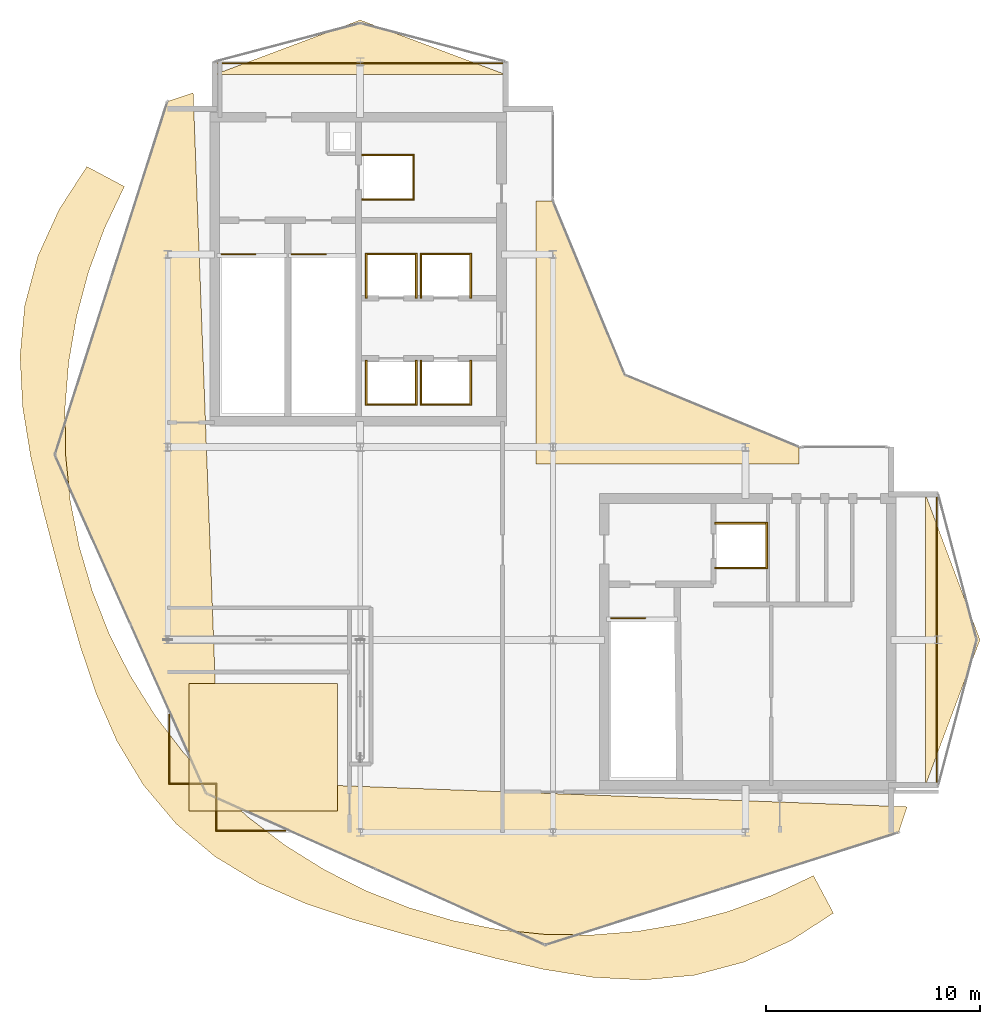
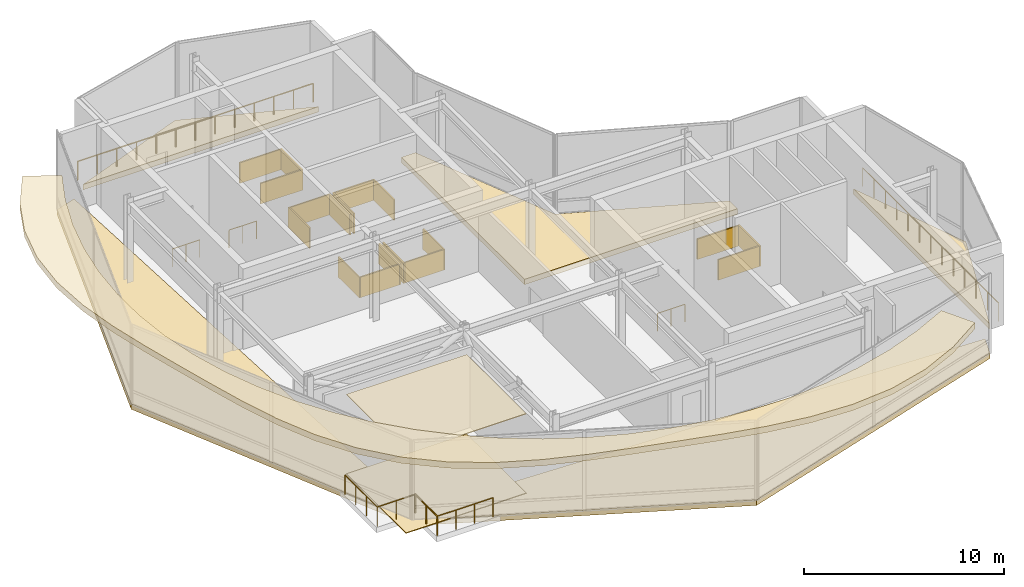
# One storey, part 19 of 19: 25 coverings, 9 railings.
"""IFC4 building model written with IfcOpenShell, lengths in metres."""

import ifcopenshell
import ifcopenshell.guid

model = None  # the IFC model being written
_history = None  # IfcOwnerHistory: only IFC2X3 demands one
_inside = {}  # id of a spatial element -> (the spatial element, [elements in it])
_under = {}  # id of a project, library or spatial element -> (it, [spatial elements below it])
_declared = {}  # id of a project -> (the project, [libraries it declares])
_typed = {}  # id of a type object -> (the type object, [elements of that type])
_made_of = {}  # id of a material, layer set ... -> (it, [elements and type objects made of it])


def new_model(schema):
    """Start an empty IFC model of exactly this schema.

    Asked for "IFC4X3", IfcOpenShell would pick the latest addendum, in which some entities
    have other attributes; the version numbers below select the first issue.
    IFC2X3 requires an IfcOwnerHistory on every rooted entity: one is made here for all.
    """
    global model, _history
    if schema == "IFC4X3":
        model = ifcopenshell.file(schema_version=(4, 3, 0, 0))
    else:
        model = ifcopenshell.file(schema=schema)
    _inside.clear()
    _under.clear()
    _declared.clear()
    _typed.clear()
    _made_of.clear()
    _history = None
    if model.schema == "IFC2X3":
        org = make("IfcOrganization", Name="unknown")
        user = make(
            "IfcPersonAndOrganization",
            ThePerson=make("IfcPerson", FamilyName="unknown"),
            TheOrganization=org,
        )
        app = make(
            "IfcApplication",
            ApplicationDeveloper=org,
            Version="unknown",
            ApplicationFullName="unknown",
            ApplicationIdentifier="unknown",
        )
        _history = make(
            "IfcOwnerHistory",
            OwningUser=user,
            OwningApplication=app,
            ChangeAction="ADDED",
            CreationDate=0,
        )
    return model


def make(cls, **values):
    """One entity of the class cls with the attributes given. An attribute that is None is left unset."""
    return model.create_entity(
        cls, **{name: value for name, value in values.items() if value is not None}
    )


def rooted(cls, **values):
    """An entity with a GlobalId (a new one), such as an element, a storey or a relation."""
    return make(cls, GlobalId=ifcopenshell.guid.new(), OwnerHistory=_history, **values)


def si_unit(unit_type, name, prefix=None):
    """IfcSIUnit, for example si_unit("LENGTHUNIT", "METRE", prefix="MILLI")."""
    return make("IfcSIUnit", UnitType=unit_type, Prefix=prefix, Name=name)


def assignment(units):
    """IfcUnitAssignment: the units of a project."""
    return None if units is None else make("IfcUnitAssignment", Units=units)


def point(xyz):
    """IfcCartesianPoint."""
    return None if xyz is None else make("IfcCartesianPoint", Coordinates=xyz)


def direction(xyz):
    """IfcDirection."""
    return None if xyz is None else make("IfcDirection", DirectionRatios=xyz)


def frame(location, z_axis=None, x_axis=None):
    """IfcAxis2Placement3D, a coordinate frame: its origin and axes. An axis left out is left unset."""
    return make(
        "IfcAxis2Placement3D",
        Location=point(location),
        Axis=direction(z_axis),
        RefDirection=direction(x_axis),
    )


def frame_2d(location, x_axis=None):
    """IfcAxis2Placement2D, a coordinate frame in the plane: its origin and x axis."""
    return make(
        "IfcAxis2Placement2D", Location=point(location), RefDirection=direction(x_axis)
    )


def origin():
    """The frame at (0, 0, 0) with its axes left unset."""
    return frame((0.0, 0.0, 0.0))


def origin_2d():
    """The frame at (0, 0) in the plane with its x axis left unset."""
    return frame_2d((0.0, 0.0))


def place(relative_to, where):
    """IfcLocalPlacement: puts the frame where relative to a parent placement (None: the world)."""
    return make(
        "IfcLocalPlacement", PlacementRelTo=relative_to, RelativePlacement=where
    )


def context(
    kind, dimensions, precision=None, world=None, true_north=None, identifier=None
):
    """IfcGeometricRepresentationContext, for example the 3D "Model" context."""
    return make(
        "IfcGeometricRepresentationContext",
        ContextIdentifier=identifier,
        ContextType=kind,
        CoordinateSpaceDimension=dimensions,
        Precision=precision,
        WorldCoordinateSystem=world,
        TrueNorth=true_north,
    )


def subcontext(parent, identifier, kind, view, scale=None):
    """IfcGeometricRepresentationSubContext, for example "Body" below "Model"."""
    return make(
        "IfcGeometricRepresentationSubContext",
        ContextIdentifier=identifier,
        ContextType=kind,
        ParentContext=parent,
        TargetScale=scale,
        TargetView=view,
    )


def project(units=None, contexts=None):
    """IfcProject with its units and contexts."""
    return rooted(
        "IfcProject",
        Name="project",
        RepresentationContexts=contexts,
        UnitsInContext=assignment(units),
    )


def spatial(cls, under=None, at=None, **own):
    """A site, building, storey or space (cls), placed at a placement, below another one or the project."""
    s = rooted(cls, ObjectPlacement=at, **own)
    if under is not None:
        _under.setdefault(under.id(), (under, []))[1].append(s)
    return s


def polyline(points):
    """IfcPolyline through the points."""
    return make("IfcPolyline", Points=[point(p) for p in points])


def profile(cls, at=None, kind="AREA", **sizes):
    """A parametric profile (cls). Its sizes go by their IFC names, for example OverallWidth=200.0."""
    return make(cls, ProfileType=kind, Position=at, **sizes)


def rectangle(**sizes):
    """IfcRectangleProfileDef."""
    return profile("IfcRectangleProfileDef", **sizes)


def circle(**sizes):
    """IfcCircleProfileDef."""
    return profile("IfcCircleProfileDef", **sizes)


def outline(outer, holes=None, kind="AREA"):
    """IfcArbitraryClosedProfileDef: a profile drawn as a closed curve; with holes, ...WithVoids."""
    if holes is None:
        return make("IfcArbitraryClosedProfileDef", ProfileType=kind, OuterCurve=outer)
    return make(
        "IfcArbitraryProfileDefWithVoids",
        ProfileType=kind,
        OuterCurve=outer,
        InnerCurves=holes,
    )


def extrude(swept, where, along, depth):
    """IfcExtrudedAreaSolid: the profile swept, set in the frame where, extruded along a direction by depth."""
    return make(
        "IfcExtrudedAreaSolid",
        SweptArea=swept,
        Position=where,
        ExtrudedDirection=direction(along),
        Depth=depth,
    )


def shape(context_of_items, identifier, shape_type, items):
    """IfcShapeRepresentation: the items that make up one representation, for example the "Body"."""
    return make(
        "IfcShapeRepresentation",
        ContextOfItems=context_of_items,
        RepresentationIdentifier=identifier,
        RepresentationType=shape_type,
        Items=items,
    )


def material(Name=None, Category=None):
    """IfcMaterial."""
    return make("IfcMaterial", Name=Name, Category=Category)


def layer(
    of_material, thickness, ventilated=None, Name=None, Category=None, Priority=None
):
    """IfcMaterialLayer: one layer of a wall or slab, of a material (None: an air gap)."""
    return make(
        "IfcMaterialLayer",
        Material=of_material,
        LayerThickness=thickness,
        IsVentilated=ventilated,
        Name=Name,
        Category=Category,
        Priority=Priority,
    )


def layer_set(layers, Name=None):
    """IfcMaterialLayerSet."""
    return make("IfcMaterialLayerSet", MaterialLayers=layers, LayerSetName=Name)


def made_of(thing, what):
    """Note that an element or type object is made of a material, layer set ...; save() writes the relation."""
    if what is not None:
        _made_of.setdefault(what.id(), (what, []))[1].append(thing)
    return thing


def type_object(cls, material=None, **own):
    """A type object (cls), such as IfcWallType, which elements share."""
    return made_of(rooted(cls, **own), material)


def element(
    cls,
    number,
    at=None,
    inside=None,
    cuts=None,
    type_object=None,
    material=None,
    context=None,
    identifier="Body",
    shape_type=None,
    held_by="IfcProductDefinitionShape",
    body=None,
    shapes=None,
    **own,
):
    """One element of the class cls, such as IfcWall. Its Tag is "e" and its number.

    at: its placement. inside: the storey or other place that contains it. cuts: it is an
    opening in that element (IfcRelVoidsElement). A single representation is given by context,
    identifier, shape_type and body (its items); several are given by shapes. held_by: the class
    of the entity that holds the representations. save() writes the other relations.
    """
    e = rooted(cls, Tag="e%d" % number, ObjectPlacement=at, **own)
    if body is not None:
        shapes = [shape(context, identifier, shape_type, body)]
    if shapes is not None:
        e.Representation = make(held_by, Representations=shapes)
    if inside is not None:
        _inside.setdefault(inside.id(), (inside, []))[1].append(e)
    if cuts is not None:
        rooted(
            "IfcRelVoidsElement", RelatingBuildingElement=cuts, RelatedOpeningElement=e
        )
    if type_object is not None:
        _typed.setdefault(type_object.id(), (type_object, []))[1].append(e)
    return made_of(e, material)


def aggregate(whole, parts):
    """IfcRelAggregates: a whole, such as a stair, and the parts it consists of."""
    return rooted("IfcRelAggregates", RelatingObject=whole, RelatedObjects=parts)


def save(model, path):
    """Write the relations noted so far, then the file.

    IfcRelAggregates (storeys below a building ...), IfcRelContainedInSpatialStructure (elements
    in a storey), IfcRelDefinesByType, IfcRelAssociatesMaterial and IfcRelDeclares: one each for
    every whole, place, type object, material and project.
    """
    for whole, parts in _under.values():
        aggregate(whole, parts)
    for where, things in _inside.values():
        rooted(
            "IfcRelContainedInSpatialStructure",
            RelatedElements=things,
            RelatingStructure=where,
        )
    for kind, things in _typed.values():
        rooted("IfcRelDefinesByType", RelatedObjects=things, RelatingType=kind)
    for what, things in _made_of.values():
        rooted("IfcRelAssociatesMaterial", RelatedObjects=things, RelatingMaterial=what)
    for by, libraries in _declared.values():
        rooted("IfcRelDeclares", RelatingContext=by, RelatedDefinitions=libraries)
    model.write(path)


model = new_model("IFC4")

# Units and contexts
model_context = context("Model", 3, precision=1e-05, world=origin(), true_north=direction((0.0, 1.0)))
body_context = subcontext(model_context, "Body", "Model", "MODEL_VIEW")
ifc_project = project(units=[si_unit("LENGTHUNIT", "METRE"), si_unit("AREAUNIT", "SQUARE_METRE"), si_unit("VOLUMEUNIT", "CUBIC_METRE"), si_unit("PLANEANGLEUNIT", "RADIAN"), si_unit("MASSUNIT", "GRAM", prefix="KILO")], contexts=[model_context])

# Site, building, storey
site_placement = place(None, origin())
site = spatial("IfcSite", under=ifc_project, at=site_placement, CompositionType="ELEMENT")
building_placement = place(site_placement, origin())
building = spatial("IfcBuilding", under=site, at=building_placement, Name="Solvaryn Broadcast Tower", CompositionType="ELEMENT")
storey_placement = place(building_placement, frame((0.0, 0.0, 302.60009765625)))
storey = spatial("IfcBuildingStorey", under=building, at=storey_placement, Name="L76", CompositionType="ELEMENT", Elevation=302.60009765625)

# Coverings
ifc_material_1 = material(Name="Micro-Perforated Acoustic Gypsum Ceiling", Category="concrete")
ifc_layer_1 = layer(ifc_material_1, 0.0400390625)
ifc_layer_set_1 = layer_set([ifc_layer_1], Name="CV-CEIL-ACOUSTIC")
covering_type_1 = type_object("IfcCoveringType", Name="CV-CEIL-ACOUSTIC", PredefinedType="CEILING", material=ifc_layer_set_1)
covering_1_placement = place(storey_placement, frame((0.0, 0.0, 4.85986328125)))
element("IfcCovering", 1, at=covering_1_placement, inside=storey, type_object=covering_type_1, Name="L76 Room Acoustic Ceiling 1", PredefinedType="CEILING", context=body_context, shape_type="SweptSolid", body=[
    extrude(outline(polyline([(10.0, 10.0), (16.949951171875, 10.0), (16.949951171875, 15.949951171875), (10.0, 15.949951171875), (10.0, 10.0)])), origin(), (0.0, 0.0, 1.0), 0.0400390625),
])
ifc_material_2 = material(Name="Newsroom Raised Data Access Flooring", Category="steel")
ifc_layer_2 = layer(ifc_material_2, 0.050048828125)
ifc_layer_set_2 = layer_set([ifc_layer_2], Name="CV-FLOOR-RAISED")
covering_type_2 = type_object("IfcCoveringType", Name="CV-FLOOR-RAISED", PredefinedType="FLOORING", material=ifc_layer_set_2)
covering_2_placement = place(storey_placement, origin())
element("IfcCovering", 2, at=covering_2_placement, inside=storey, type_object=covering_type_2, Name="L76 Room Acoustic Floor Finish 1", PredefinedType="FLOORING", context=body_context, shape_type="SweptSolid", body=[
    extrude(outline(polyline([(10.0, 10.0), (16.949951171875, 10.0), (16.949951171875, 15.949951171875), (10.0, 15.949951171875), (10.0, 10.0)])), origin(), (0.0, 0.0, 1.0), 0.0498046875),
])
ifc_material_3 = material(Name="Fire-Rated Gypsum Shaftwall Liner", Category="concrete")
ifc_layer_3 = layer(ifc_material_3, 0.080078125)
ifc_layer_set_3 = layer_set([ifc_layer_3], Name="CV-SHAFT-LINER")
covering_type_3 = type_object("IfcCoveringType", Name="CV-SHAFT-LINER", PredefinedType="CLADDING", material=ifc_layer_set_3)
for number, where, z_axis, x_axis, name in (
    (3, (19.300048828125, 40.639892578125, 0.0), (0.0, 0.0, 1.0), (1.0, 0.0, 0.0), "L76 FL1 Hoistway Shaft Liner North"),
    (4, (19.300048828125, 38.56005859375, 0.0), (0.0, 0.0, 1.0), (1.0, 0.0, 0.0), "L76 FL1 Hoistway Shaft Liner South"),
):
    element("IfcCovering", number, at=place(storey_placement, frame(where, z_axis=z_axis, x_axis=x_axis)), inside=storey, type_object=covering_type_3, Name=name, PredefinedType="CLADDING", context=body_context, shape_type="SweptSolid", body=[
        extrude(rectangle(XDim=2.4599609375, YDim=0.080078125, at=origin_2d()), origin(), (0.0, 0.0, 1.0), 1.25),
    ])
covering_3_placement = place(storey_placement, frame((20.489990234375, 39.60009765625, 0.0), z_axis=(0.0, 0.0, 1.0), x_axis=(1.0, 0.0, 0.0)))
element("IfcCovering", 5, at=covering_3_placement, inside=storey, type_object=covering_type_3, Name="L76 FL1 Hoistway Shaft Liner East", PredefinedType="CLADDING", context=body_context, shape_type="SweptSolid", body=[
    extrude(rectangle(XDim=0.080078125, YDim=2.159912109375, at=origin_2d()), origin(), (0.0, 0.0, 1.0), 1.25),
])
covering_4_placement = place(storey_placement, frame((19.449951171875, 28.985107421875, 0.0), z_axis=(0.0, 0.0, 1.0), x_axis=(1.0, 0.0, 0.0)))
element("IfcCovering", 6, at=covering_4_placement, inside=storey, type_object=covering_type_3, Name="L76 PH1 Hoistway Shaft Liner South", PredefinedType="CLADDING", context=body_context, shape_type="SweptSolid", body=[
    extrude(rectangle(XDim=2.409912109375, YDim=0.080078125, at=origin_2d()), origin(), (0.0, 0.0, 1.0), 1.25),
])
for number, where, z_axis, x_axis, name in (
    (7, (20.614990234375, 30.0, 0.0), (0.0, 0.0, 1.0), (1.0, 0.0, 0.0), "L76 PH1 Hoistway Shaft Liner East"),
    (8, (18.284912109375, 30.0, 0.0), (0.0, 0.0, 1.0), (1.0, 0.0, 0.0), "L76 PH1 Hoistway Shaft Liner West"),
):
    element("IfcCovering", number, at=place(storey_placement, frame(where, z_axis=z_axis, x_axis=x_axis)), inside=storey, type_object=covering_type_3, Name=name, PredefinedType="CLADDING", context=body_context, shape_type="SweptSolid", body=[
        extrude(rectangle(XDim=0.080078125, YDim=2.110107421875, at=origin_2d()), origin(), (0.0, 0.0, 1.0), 1.25),
    ])
covering_5_placement = place(storey_placement, frame((22.0, 28.985107421875, 0.0), z_axis=(0.0, 0.0, 1.0), x_axis=(1.0, 0.0, 0.0)))
element("IfcCovering", 9, at=covering_5_placement, inside=storey, type_object=covering_type_3, Name="L76 PH2 Hoistway Shaft Liner South", PredefinedType="CLADDING", context=body_context, shape_type="SweptSolid", body=[
    extrude(rectangle(XDim=2.409912109375, YDim=0.080078125, at=origin_2d()), origin(), (0.0, 0.0, 1.0), 1.25),
])
for number, where, z_axis, x_axis, name in (
    (10, (23.1650390625, 30.0, 0.0), (0.0, 0.0, 1.0), (1.0, 0.0, 0.0), "L76 PH2 Hoistway Shaft Liner East"),
    (11, (20.8349609375, 30.0, 0.0), (0.0, 0.0, 1.0), (1.0, 0.0, 0.0), "L76 PH2 Hoistway Shaft Liner West"),
):
    element("IfcCovering", number, at=place(storey_placement, frame(where, z_axis=z_axis, x_axis=x_axis)), inside=storey, type_object=covering_type_3, Name=name, PredefinedType="CLADDING", context=body_context, shape_type="SweptSolid", body=[
        extrude(rectangle(XDim=0.080078125, YDim=2.110107421875, at=origin_2d()), origin(), (0.0, 0.0, 1.0), 1.25),
    ])
covering_6_placement = place(storey_placement, frame((19.449951171875, 36.014892578125, 0.0), z_axis=(0.0, 0.0, 1.0), x_axis=(1.0, 0.0, 0.0)))
element("IfcCovering", 12, at=covering_6_placement, inside=storey, type_object=covering_type_3, Name="L76 PH3 Hoistway Shaft Liner North", PredefinedType="CLADDING", context=body_context, shape_type="SweptSolid", body=[
    extrude(rectangle(XDim=2.409912109375, YDim=0.080078125, at=origin_2d()), origin(), (0.0, 0.0, 1.0), 1.25),
])
for number, where, z_axis, x_axis, name in (
    (13, (20.614990234375, 35.0, 0.0), (0.0, 0.0, 1.0), (1.0, 0.0, 0.0), "L76 PH3 Hoistway Shaft Liner East"),
    (14, (18.284912109375, 35.0, 0.0), (0.0, 0.0, 1.0), (1.0, 0.0, 0.0), "L76 PH3 Hoistway Shaft Liner West"),
):
    element("IfcCovering", number, at=place(storey_placement, frame(where, z_axis=z_axis, x_axis=x_axis)), inside=storey, type_object=covering_type_3, Name=name, PredefinedType="CLADDING", context=body_context, shape_type="SweptSolid", body=[
        extrude(rectangle(XDim=0.080078125, YDim=2.110107421875, at=origin_2d()), origin(), (0.0, 0.0, 1.0), 1.25),
    ])
covering_7_placement = place(storey_placement, frame((22.0, 36.014892578125, 0.0), z_axis=(0.0, 0.0, 1.0), x_axis=(1.0, 0.0, 0.0)))
element("IfcCovering", 15, at=covering_7_placement, inside=storey, type_object=covering_type_3, Name="L76 PH4 Hoistway Shaft Liner North", PredefinedType="CLADDING", context=body_context, shape_type="SweptSolid", body=[
    extrude(rectangle(XDim=2.409912109375, YDim=0.080078125, at=origin_2d()), origin(), (0.0, 0.0, 1.0), 1.25),
])
for number, where, z_axis, x_axis, name in (
    (16, (23.1650390625, 35.0, 0.0), (0.0, 0.0, 1.0), (1.0, 0.0, 0.0), "L76 PH4 Hoistway Shaft Liner East"),
    (17, (20.8349609375, 35.0, 0.0), (0.0, 0.0, 1.0), (1.0, 0.0, 0.0), "L76 PH4 Hoistway Shaft Liner West"),
):
    element("IfcCovering", number, at=place(storey_placement, frame(where, z_axis=z_axis, x_axis=x_axis)), inside=storey, type_object=covering_type_3, Name=name, PredefinedType="CLADDING", context=body_context, shape_type="SweptSolid", body=[
        extrude(rectangle(XDim=0.080078125, YDim=2.110107421875, at=origin_2d()), origin(), (0.0, 0.0, 1.0), 1.25),
    ])
for number, where, z_axis, x_axis, name in (
    (18, (35.800048828125, 23.43994140625, 0.0), (0.0, 0.0, 1.0), (1.0, 0.0, 0.0), "L76 FL2 Hoistway Shaft Liner North"),
    (19, (35.800048828125, 21.360107421875, 0.0), (0.0, 0.0, 1.0), (1.0, 0.0, 0.0), "L76 FL2 Hoistway Shaft Liner South"),
):
    element("IfcCovering", number, at=place(storey_placement, frame(where, z_axis=z_axis, x_axis=x_axis)), inside=storey, type_object=covering_type_3, Name=name, PredefinedType="CLADDING", context=body_context, shape_type="SweptSolid", body=[
        extrude(rectangle(XDim=2.4599609375, YDim=0.080078125, at=origin_2d()), origin(), (0.0, 0.0, 1.0), 1.25),
    ])
covering_8_placement = place(storey_placement, frame((36.989990234375, 22.39990234375, 0.0), z_axis=(0.0, 0.0, 1.0), x_axis=(1.0, 0.0, 0.0)))
element("IfcCovering", 20, at=covering_8_placement, inside=storey, type_object=covering_type_3, Name="L76 FL2 Hoistway Shaft Liner East", PredefinedType="CLADDING", context=body_context, shape_type="SweptSolid", body=[
    extrude(rectangle(XDim=0.080078125, YDim=2.159912109375, at=origin_2d()), origin(), (0.0, 0.0, 1.0), 1.25),
])
ifc_material_4 = material(Name="Sculpted Architectural Terracotta Wave Fascia", Category="masonry")
ifc_layer_4 = layer(ifc_material_4, 0.340087890625)
ifc_layer_set_4 = layer_set([ifc_layer_4], Name="CV-WAVE-TRAY")
covering_type_4 = type_object("IfcCoveringType", Name="CV-WAVE-TRAY", PredefinedType="CLADDING", material=ifc_layer_set_4)
covering_9_placement = place(storey_placement, frame((0.0, 0.0, -0.300048828125)))
element("IfcCovering", 21, at=covering_9_placement, inside=storey, type_object=covering_type_4, Name="L76 Stepped Cylindrical Drum Floor Apron", PredefinedType="CLADDING", context=body_context, shape_type="SweptSolid", body=[
    extrude(outline(polyline([(10.199951171875, 43.549072265625), (9.0, 43.14892578125), (3.738037109375, 26.635986328125), (10.81689453125, 10.81689453125), (26.635986328125, 3.738037109375), (43.14892578125, 9.0), (43.14892578125, 9.0), (43.549072265625, 10.199951171875), (11.39990234375, 11.39990234375), (10.199951171875, 43.549072265625)])), origin(), (0.0, 0.0, 1.0), 0.329833984375),
])
covering_10_placement = place(storey_placement, frame((0.0, 0.0, -0.300048828125)))
element("IfcCovering", 22, at=covering_10_placement, inside=storey, type_object=covering_type_4, Name="L76 Concave Canyon Floor Apron", PredefinedType="CLADDING", context=body_context, shape_type="SweptSolid", body=[
    extrude(outline(polyline([(26.199951171875, 26.199951171875), (38.5, 26.199951171875), (38.5, 27.0), (30.367919921875, 30.367919921875), (27.0, 38.5), (26.199951171875, 38.5), (26.199951171875, 26.199951171875)])), origin(), (0.0, 0.0, 1.0), 0.329833984375),
])
covering_11_placement = place(storey_placement, frame((0.0, 0.0, -0.300048828125)))
element("IfcCovering", 23, at=covering_11_placement, inside=storey, type_object=covering_type_4, Name="L76 North Curved Wing Deck", PredefinedType="CLADDING", context=body_context, shape_type="SweptSolid", body=[
    extrude(outline(polyline([(11.199951171875, 44.39990234375), (24.800048828125, 44.39990234375), (18.0, 46.949951171875), (11.199951171875, 44.39990234375)])), origin(), (0.0, 0.0, 1.0), 0.329833984375),
])
covering_12_placement = place(storey_placement, frame((0.0, 0.0, -0.300048828125)))
element("IfcCovering", 24, at=covering_12_placement, inside=storey, type_object=covering_type_4, Name="L76 East Curved Wing Deck", PredefinedType="CLADDING", context=body_context, shape_type="SweptSolid", body=[
    extrude(outline(polyline([(44.39990234375, 11.199951171875), (46.949951171875, 18.0), (44.39990234375, 24.800048828125), (44.39990234375, 11.199951171875)])), origin(), (0.0, 0.0, 1.0), 0.329833984375),
])
covering_13_placement = place(storey_placement, frame((0.0, 0.0, 4.85986328125)))
element("IfcCovering", 25, at=covering_13_placement, inside=storey, type_object=covering_type_4, Name="L76 Damper Lantern Drum Roof Collar", PredefinedType="CLADDING", context=body_context, shape_type="SweptSolid", body=[
    extrude(outline(polyline([(5.23291015625, 40.10498046875), (3.94091796875, 38.10595703125), (2.948974609375, 35.93310546875), (2.3330078125, 33.623046875), (2.110107421875, 31.243896484375), (2.23388671875, 28.867919921875), (2.611083984375, 26.5419921875), (3.131103515625, 24.282958984375), (3.70703125, 22.072021484375), (4.301025390625, 19.873046875), (4.93505859375, 17.662109375), (5.681884765625, 15.446044921875), (6.633056640625, 13.27490234375), (7.863037109375, 11.23095703125), (9.403076171875, 9.403076171875), (11.23095703125, 7.863037109375), (13.27490234375, 6.633056640625), (15.446044921875, 5.681884765625), (17.662109375, 4.93505859375), (19.873046875, 4.301025390625), (22.072021484375, 3.70703125), (24.282958984375, 3.131103515625), (26.5419921875, 2.611083984375), (28.867919921875, 2.23388671875), (31.243896484375, 2.110107421875), (33.623046875, 2.3330078125), (35.93310546875, 2.948974609375), (38.10595703125, 3.94091796875), (40.10498046875, 5.23291015625), (39.173095703125, 6.986083984375), (37.217041015625, 6.056884765625), (35.18505859375, 5.31005859375), (33.093017578125, 4.7509765625), (30.958984375, 4.385009765625), (28.801025390625, 4.212890625), (26.635986328125, 4.239013671875), (24.48193359375, 4.4609375), (22.35693359375, 4.87890625), (20.280029296875, 5.487060546875), (18.264892578125, 6.281982421875), (16.33203125, 7.256103515625), (14.4951171875, 8.403076171875), (12.77001953125, 9.7109375), (11.1708984375, 11.1708984375), (9.7109375, 12.77001953125), (8.403076171875, 14.4951171875), (7.256103515625, 16.33203125), (6.281982421875, 18.264892578125), (5.487060546875, 20.280029296875), (4.87890625, 22.35693359375), (4.4609375, 24.48193359375), (4.239013671875, 26.635986328125), (4.212890625, 28.801025390625), (4.385009765625, 30.958984375), (4.7509765625, 33.093017578125), (5.31005859375, 35.18505859375), (6.056884765625, 37.217041015625), (6.986083984375, 39.173095703125), (5.23291015625, 40.10498046875)])), origin(), (0.0, 0.0, 1.0), 0.380126953125),
])

# Railings
ifc_material_5 = material(Name="Stainless Steel and Laminated Glass Guard", Category="steel")
railing_type_1 = type_object("IfcRailingType", Name="RL-SKYG-1200", PredefinedType="BALUSTRADE", material=ifc_material_5)
railing_1_placement = place(storey_placement, frame((9.080078125, 14.5, 0.0)))
element("IfcRailing", 26, at=railing_1_placement, inside=storey, type_object=railing_type_1, Name="L76 Upper SW Corner Balustrade 1", PredefinedType="BALUSTRADE", context=body_context, shape_type="SweptSolid", body=[
    extrude(circle(Radius=0.02392578125, at=origin_2d()), frame((0.0, 0.0, 1.17578125), z_axis=(0.0, -1.0, 0.0), x_axis=(1.0, 0.0, 0.0)), (0.0, 0.0, 1.0), 3.219970703125),
    extrude(circle(Radius=0.02099609375, at=origin_2d()), origin(), (0.0, 0.0, 1.0), 1.15185546875),
    extrude(circle(Radius=0.02099609375, at=origin_2d()), frame((0.0, -1.0732421875, 0.0)), (0.0, 0.0, 1.0), 1.15185546875),
    extrude(circle(Radius=0.02099609375, at=origin_2d()), frame((0.0, -2.146728515625, 0.0)), (0.0, 0.0, 1.0), 1.15185546875),
    extrude(circle(Radius=0.02099609375, at=origin_2d()), frame((0.0, -3.219970703125, 0.0)), (0.0, 0.0, 1.0), 1.15185546875),
])
railing_2_placement = place(storey_placement, frame((9.080078125, 11.280029296875, 0.0)))
element("IfcRailing", 27, at=railing_2_placement, inside=storey, type_object=railing_type_1, Name="L76 Upper SW Corner Balustrade 2", PredefinedType="BALUSTRADE", context=body_context, shape_type="SweptSolid", body=[
    extrude(circle(Radius=0.02392578125, at=origin_2d()), frame((0.0, 0.0, 1.17578125), z_axis=(1.0, 0.0, 0.0), x_axis=(0.0, 1.0, 0.0)), (0.0, 0.0, 1.0), 2.199951171875),
    extrude(circle(Radius=0.02099609375, at=origin_2d()), origin(), (0.0, 0.0, 1.0), 1.15185546875),
    extrude(circle(Radius=0.02099609375, at=origin_2d()), frame((1.10009765625, 0.0, 0.0)), (0.0, 0.0, 1.0), 1.15185546875),
    extrude(circle(Radius=0.02099609375, at=origin_2d()), frame((2.199951171875, 0.0, 0.0)), (0.0, 0.0, 1.0), 1.15185546875),
])
railing_3_placement = place(storey_placement, frame((11.280029296875, 11.280029296875, 0.0)))
element("IfcRailing", 28, at=railing_3_placement, inside=storey, type_object=railing_type_1, Name="L76 Upper SW Corner Balustrade 3", PredefinedType="BALUSTRADE", context=body_context, shape_type="SweptSolid", body=[
    extrude(circle(Radius=0.02392578125, at=origin_2d()), frame((0.0, 0.0, 1.17578125), z_axis=(0.0, -1.0, 0.0), x_axis=(1.0, 0.0, 0.0)), (0.0, 0.0, 1.0), 2.199951171875),
    extrude(circle(Radius=0.02099609375, at=origin_2d()), origin(), (0.0, 0.0, 1.0), 1.15185546875),
    extrude(circle(Radius=0.02099609375, at=origin_2d()), frame((0.0, -1.10009765625, 0.0)), (0.0, 0.0, 1.0), 1.15185546875),
    extrude(circle(Radius=0.02099609375, at=origin_2d()), frame((0.0, -2.199951171875, 0.0)), (0.0, 0.0, 1.0), 1.15185546875),
])
railing_4_placement = place(storey_placement, frame((11.280029296875, 9.080078125, 0.0)))
element("IfcRailing", 29, at=railing_4_placement, inside=storey, type_object=railing_type_1, Name="L76 Upper SW Corner Balustrade 4", PredefinedType="BALUSTRADE", context=body_context, shape_type="SweptSolid", body=[
    extrude(circle(Radius=0.02392578125, at=origin_2d()), frame((0.0, 0.0, 1.17578125), z_axis=(1.0, 0.0, 0.0), x_axis=(0.0, 1.0, 0.0)), (0.0, 0.0, 1.0), 3.219970703125),
    extrude(circle(Radius=0.02099609375, at=origin_2d()), origin(), (0.0, 0.0, 1.0), 1.15185546875),
    extrude(circle(Radius=0.02099609375, at=origin_2d()), frame((1.0732421875, 0.0, 0.0)), (0.0, 0.0, 1.0), 1.15185546875),
    extrude(circle(Radius=0.02099609375, at=origin_2d()), frame((2.146728515625, 0.0, 0.0)), (0.0, 0.0, 1.0), 1.15185546875),
    extrude(circle(Radius=0.02099609375, at=origin_2d()), frame((3.219970703125, 0.0, 0.0)), (0.0, 0.0, 1.0), 1.15185546875),
])
ifc_material_6 = material(Name="Painted Steel Stair Well Guard", Category="steel")
railing_type_2 = type_object("IfcRailingType", Name="RL-STAIR-GUARD", PredefinedType="BALUSTRADE", material=ifc_material_6)
railing_5_placement = place(storey_placement, frame((11.52001953125, 36.010009765625, 0.0)))
element("IfcRailing", 30, at=railing_5_placement, inside=storey, type_object=railing_type_2, Name="L76 ST1 top well guard 1", PredefinedType="BALUSTRADE", context=body_context, shape_type="SweptSolid", body=[
    extrude(circle(Radius=0.02392578125, at=origin_2d()), frame((0.0, 0.0, 1.076171875), z_axis=(1.0, 0.0, 0.0), x_axis=(0.0, 1.0, 0.0)), (0.0, 0.0, 1.0), 1.590087890625),
    extrude(circle(Radius=0.02099609375, at=origin_2d()), origin(), (0.0, 0.0, 1.0), 1.052001953125),
    extrude(circle(Radius=0.02099609375, at=origin_2d()), frame((0.794921875, 0.0, 0.0)), (0.0, 0.0, 1.0), 1.052001953125),
    extrude(circle(Radius=0.02099609375, at=origin_2d()), frame((1.590087890625, 0.0, 0.0)), (0.0, 0.0, 1.0), 1.052001953125),
])
railing_6_placement = place(storey_placement, frame((14.800048828125, 36.010009765625, 0.0)))
element("IfcRailing", 31, at=railing_6_placement, inside=storey, type_object=railing_type_2, Name="L76 ST2 top well guard 1", PredefinedType="BALUSTRADE", context=body_context, shape_type="SweptSolid", body=[
    extrude(circle(Radius=0.02392578125, at=origin_2d()), frame((0.0, 0.0, 1.076171875), z_axis=(1.0, 0.0, 0.0), x_axis=(0.0, 1.0, 0.0)), (0.0, 0.0, 1.0), 1.58984375),
    extrude(circle(Radius=0.02099609375, at=origin_2d()), origin(), (0.0, 0.0, 1.0), 1.052001953125),
    extrude(circle(Radius=0.02099609375, at=origin_2d()), frame((0.794921875, 0.0, 0.0)), (0.0, 0.0, 1.0), 1.052001953125),
    extrude(circle(Radius=0.02099609375, at=origin_2d()), frame((1.58984375, 0.0, 0.0)), (0.0, 0.0, 1.0), 1.052001953125),
])
railing_7_placement = place(storey_placement, frame((29.719970703125, 19.010009765625, 0.0)))
element("IfcRailing", 32, at=railing_7_placement, inside=storey, type_object=railing_type_2, Name="L76 ST3 top well guard 1", PredefinedType="BALUSTRADE", context=body_context, shape_type="SweptSolid", body=[
    extrude(circle(Radius=0.02392578125, at=origin_2d()), frame((0.0, 0.0, 1.076171875), z_axis=(1.0, 0.0, 0.0), x_axis=(0.0, 1.0, 0.0)), (0.0, 0.0, 1.0), 1.590087890625),
    extrude(circle(Radius=0.02099609375, at=origin_2d()), origin(), (0.0, 0.0, 1.0), 1.052001953125),
    extrude(circle(Radius=0.02099609375, at=origin_2d()), frame((0.794921875, 0.0, 0.0)), (0.0, 0.0, 1.0), 1.052001953125),
    extrude(circle(Radius=0.02099609375, at=origin_2d()), frame((1.590087890625, 0.0, 0.0)), (0.0, 0.0, 1.0), 1.052001953125),
])
ifc_material_7 = material(Name="Stainless Steel and Laminated Glass Guard", Category="steel")
railing_type_3 = type_object("IfcRailingType", Name="RL-TER-1150", PredefinedType="BALUSTRADE", material=ifc_material_7)
railing_8_placement = place(storey_placement, frame((11.199951171875, 44.919921875, 0.0)))
element("IfcRailing", 33, at=railing_8_placement, inside=storey, type_object=railing_type_3, Name="L76 North Wing Spandrel Edge Guard", PredefinedType="BALUSTRADE", context=body_context, shape_type="SweptSolid", body=[
    extrude(circle(Radius=0.02392578125, at=origin_2d()), frame((0.0, 0.0, 1.1259765625), z_axis=(1.0, 0.0, 0.0), x_axis=(0.0, 1.0, 0.0)), (0.0, 0.0, 1.0), 13.60009765625),
    extrude(circle(Radius=0.02099609375, at=origin_2d()), origin(), (0.0, 0.0, 1.0), 1.101806640625),
    extrude(circle(Radius=0.02099609375, at=origin_2d()), frame((1.13330078125, 0.0, 0.0)), (0.0, 0.0, 1.0), 1.101806640625),
    extrude(circle(Radius=0.02099609375, at=origin_2d()), frame((2.2666015625, 0.0, 0.0)), (0.0, 0.0, 1.0), 1.101806640625),
    extrude(circle(Radius=0.02099609375, at=origin_2d()), frame((3.39990234375, 0.0, 0.0)), (0.0, 0.0, 1.0), 1.101806640625),
    extrude(circle(Radius=0.02099609375, at=origin_2d()), frame((4.533447265625, 0.0, 0.0)), (0.0, 0.0, 1.0), 1.101806640625),
    extrude(circle(Radius=0.02099609375, at=origin_2d()), frame((5.666748046875, 0.0, 0.0)), (0.0, 0.0, 1.0), 1.101806640625),
    extrude(circle(Radius=0.02099609375, at=origin_2d()), frame((6.800048828125, 0.0, 0.0)), (0.0, 0.0, 1.0), 1.101806640625),
    extrude(circle(Radius=0.02099609375, at=origin_2d()), frame((7.933349609375, 0.0, 0.0)), (0.0, 0.0, 1.0), 1.101806640625),
    extrude(circle(Radius=0.02099609375, at=origin_2d()), frame((9.066650390625, 0.0, 0.0)), (0.0, 0.0, 1.0), 1.101806640625),
    extrude(circle(Radius=0.02099609375, at=origin_2d()), frame((10.2001953125, 0.0, 0.0)), (0.0, 0.0, 1.0), 1.101806640625),
    extrude(circle(Radius=0.02099609375, at=origin_2d()), frame((11.33349609375, 0.0, 0.0)), (0.0, 0.0, 1.0), 1.101806640625),
    extrude(circle(Radius=0.02099609375, at=origin_2d()), frame((12.466796875, 0.0, 0.0)), (0.0, 0.0, 1.0), 1.101806640625),
    extrude(circle(Radius=0.02099609375, at=origin_2d()), frame((13.60009765625, 0.0, 0.0)), (0.0, 0.0, 1.0), 1.101806640625),
])
railing_9_placement = place(storey_placement, frame((44.919921875, 11.199951171875, 0.0)))
element("IfcRailing", 34, at=railing_9_placement, inside=storey, type_object=railing_type_3, Name="L76 East Wing Spandrel Edge Guard", PredefinedType="BALUSTRADE", context=body_context, shape_type="SweptSolid", body=[
    extrude(circle(Radius=0.02392578125, at=origin_2d()), frame((0.0, 0.0, 1.1259765625), z_axis=(0.0, 1.0, 0.0), x_axis=(-1.0, 0.0, 0.0)), (0.0, 0.0, 1.0), 13.60009765625),
    extrude(circle(Radius=0.02099609375, at=origin_2d()), origin(), (0.0, 0.0, 1.0), 1.101806640625),
    extrude(circle(Radius=0.02099609375, at=origin_2d()), frame((0.0, 1.13330078125, 0.0)), (0.0, 0.0, 1.0), 1.101806640625),
    extrude(circle(Radius=0.02099609375, at=origin_2d()), frame((0.0, 2.2666015625, 0.0)), (0.0, 0.0, 1.0), 1.101806640625),
    extrude(circle(Radius=0.02099609375, at=origin_2d()), frame((0.0, 3.39990234375, 0.0)), (0.0, 0.0, 1.0), 1.101806640625),
    extrude(circle(Radius=0.02099609375, at=origin_2d()), frame((0.0, 4.533447265625, 0.0)), (0.0, 0.0, 1.0), 1.101806640625),
    extrude(circle(Radius=0.02099609375, at=origin_2d()), frame((0.0, 5.666748046875, 0.0)), (0.0, 0.0, 1.0), 1.101806640625),
    extrude(circle(Radius=0.02099609375, at=origin_2d()), frame((0.0, 6.800048828125, 0.0)), (0.0, 0.0, 1.0), 1.101806640625),
    extrude(circle(Radius=0.02099609375, at=origin_2d()), frame((0.0, 7.933349609375, 0.0)), (0.0, 0.0, 1.0), 1.101806640625),
    extrude(circle(Radius=0.02099609375, at=origin_2d()), frame((0.0, 9.066650390625, 0.0)), (0.0, 0.0, 1.0), 1.101806640625),
    extrude(circle(Radius=0.02099609375, at=origin_2d()), frame((0.0, 10.2001953125, 0.0)), (0.0, 0.0, 1.0), 1.101806640625),
    extrude(circle(Radius=0.02099609375, at=origin_2d()), frame((0.0, 11.33349609375, 0.0)), (0.0, 0.0, 1.0), 1.101806640625),
    extrude(circle(Radius=0.02099609375, at=origin_2d()), frame((0.0, 12.466796875, 0.0)), (0.0, 0.0, 1.0), 1.101806640625),
    extrude(circle(Radius=0.02099609375, at=origin_2d()), frame((0.0, 13.60009765625, 0.0)), (0.0, 0.0, 1.0), 1.101806640625),
])

save(model, "model.ifc")
